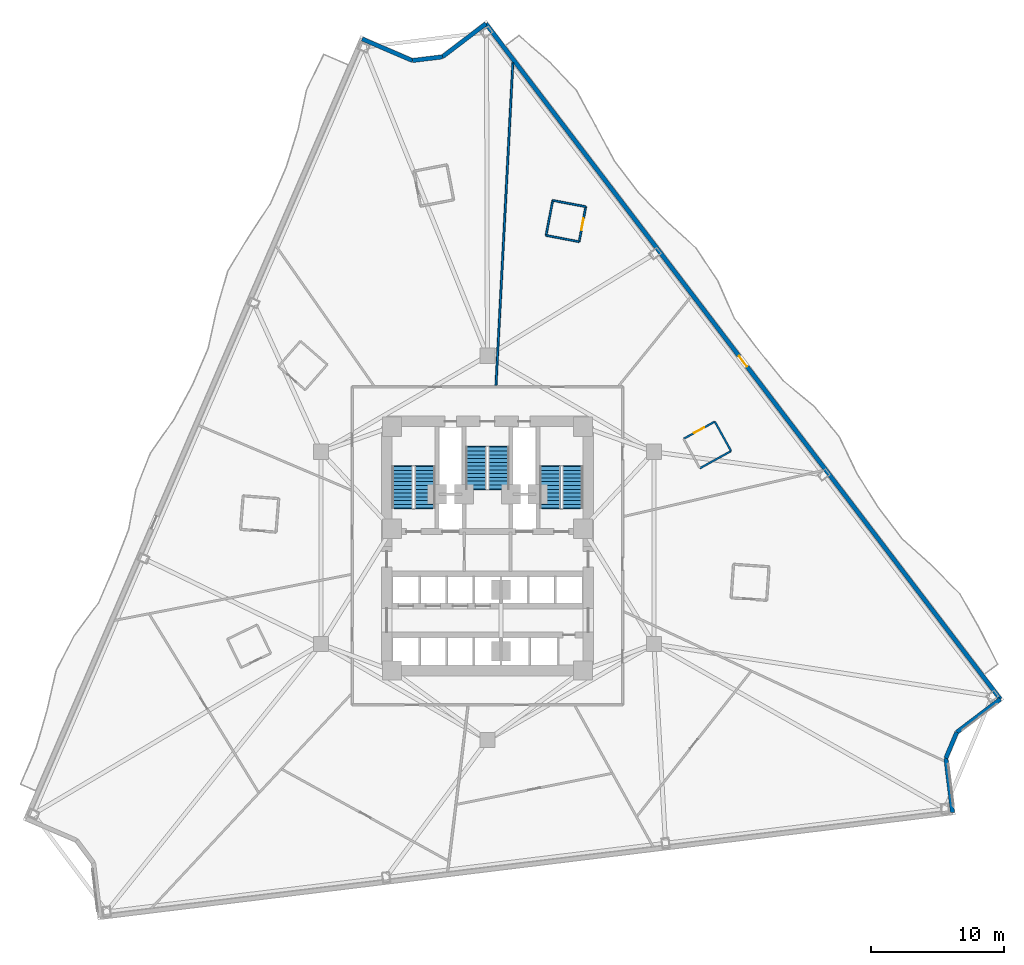
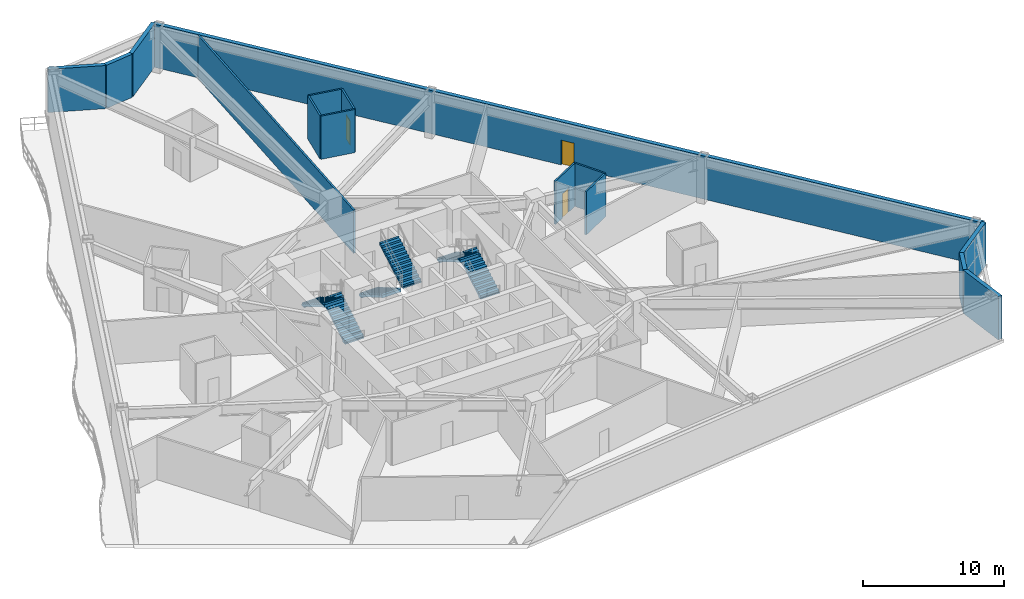
# One storey, part 10 of 14: 15 walls, 6 stair flights, 3 doors, 3 openings, 3 elements without a shape of their own.
"""IFC4 building model written with IfcOpenShell, lengths in metres."""

from ifc_helpers import new_model, si_unit, direction, frame, frame_2d, origin, place, context, subcontext, project, spatial, polyline, rectangle, outline, extrude, material, layer, layer_set, type_object, element, fill, aggregate, save


model = new_model("IFC4")

# Units and contexts
model_context = context("Model", 3, precision=1e-05, world=origin(), true_north=direction((0.0, 1.0)))
body_context = subcontext(model_context, "Body", "Model", "MODEL_VIEW")
ifc_project = project(units=[si_unit("LENGTHUNIT", "METRE"), si_unit("AREAUNIT", "SQUARE_METRE"), si_unit("VOLUMEUNIT", "CUBIC_METRE"), si_unit("PLANEANGLEUNIT", "RADIAN"), si_unit("MASSUNIT", "GRAM", prefix="KILO")], contexts=[model_context])

# Site, building, storey
site_placement = place(None, origin())
site = spatial("IfcSite", under=ifc_project, at=site_placement, CompositionType="ELEMENT")
building_placement = place(site_placement, origin())
building = spatial("IfcBuilding", under=site, at=building_placement, Name="Apsidion Concourse Tower", CompositionType="ELEMENT")
storey_placement = place(building_placement, frame((0.0, 0.0, 79.0)))
storey = spatial("IfcBuildingStorey", under=building, at=storey_placement, Name="L17", CompositionType="ELEMENT", Elevation=79.0)

# Wall, opening, door
ifc_material_1 = material(Name="Precast concrete C40/50", Category="concrete")
ifc_layer_1 = layer(ifc_material_1, 0.320068359375)
ifc_layer_set_1 = layer_set([ifc_layer_1], Name="Precast concrete C40/50")
wall_type_1 = type_object("IfcWallType", Name="WL-EXT-320", PredefinedType="STANDARD", material=ifc_layer_set_1)
wall_1_placement = place(storey_placement, frame((-0.115234375, 39.555419921875, 0.0), z_axis=(0.0, 0.0, 1.0), x_axis=(0.605877389385, -0.795558036243, 0.0)))
wall_1 = element("IfcWall", 1, at=wall_1_placement, inside=storey, type_object=wall_type_1, Name="L17 Precast Stone Facade Wall 01", PredefinedType="STANDARD", context=body_context, shape_type="SweptSolid", body=[
    extrude(rectangle(XDim=64.058349609375, YDim=0.320068359375, at=frame_2d((32.029296875, 0.0))), origin(), (0.0, 0.0, 1.0), 3.75),
])
opening_1_placement = place(wall_1_placement, frame((31.529296875, 0.0, 0.0)))
opening_1 = element("IfcOpeningElement", 2, at=opening_1_placement, cuts=wall_1, Name="Opening D-T1R", PredefinedType="OPENING", context=body_context, shape_type="SweptSolid", body=[
    extrude(rectangle(XDim=1.0, YDim=2.14990234375, at=frame_2d((0.5, 1.074951171875))), frame((0.0, 0.169921875, 0.0), z_axis=(0.0, -1.0, 0.0), x_axis=(1.0, 0.0, 0.0)), (0.0, 0.0, 1.0), 0.340087890625),
])
ifc_material_2 = material(Name="Anodised aluminium EN AW-6063 T6", Category="aluminium")
door_type_1 = type_object("IfcDoorType", Name="DR-TER-1022R", OperationType="SINGLE_SWING_RIGHT", PredefinedType="DOOR", material=ifc_material_2)
door_1_placement = place(opening_1_placement, origin())
door_1 = element("IfcDoor", 3, at=door_1_placement, inside=storey, type_object=door_type_1, Name="L17 Balcony Access Door 1", OperationType="SINGLE_SWING_RIGHT", OverallHeight=2.14990234375, OverallWidth=1.0, PredefinedType="DOOR", context=body_context, shape_type="SweptSolid", body=[
    extrude(rectangle(XDim=1.0, YDim=2.14990234375, at=frame_2d((0.5, 1.074951171875))), frame((0.0, 0.02490234375, 0.0), z_axis=(0.0, -1.0, 0.0), x_axis=(1.0, 0.0, 0.0)), (0.0, 0.0, 1.0), 0.050048828125),
])
fill(opening_1, door_1)

# Walls
wall_2_placement = place(storey_placement, frame((38.6962890625, -11.40673828125, 0.0), z_axis=(0.0, 0.0, 1.0), x_axis=(-0.795549815011, -0.605888184269, 0.0)))
element("IfcWall", 4, at=wall_2_placement, inside=storey, type_object=wall_type_1, Name="L17 Precast Stone Facade Wall 02", PredefinedType="STANDARD", context=body_context, shape_type="SweptSolid", body=[
    extrude(rectangle(XDim=4.128173828125, YDim=0.320068359375, at=frame_2d((2.06396484375, 0.0))), origin(), (0.0, 0.0, 1.0), 3.75),
])
wall_3_placement = place(storey_placement, frame((35.412109375, -13.907958984375, 0.0), z_axis=(0.0, 0.0, 1.0), x_axis=(-0.388344964834, -0.921514073841, 0.0)))
element("IfcWall", 5, at=wall_3_placement, inside=storey, type_object=wall_type_1, Name="L17 Precast Stone Facade Wall 03", PredefinedType="STANDARD", context=body_context, shape_type="SweptSolid", body=[
    extrude(rectangle(XDim=2.122314453125, YDim=0.320068359375, at=frame_2d((1.06103515625, 0.0))), origin(), (0.0, 0.0, 1.0), 3.75),
])
wall_4_placement = place(storey_placement, frame((34.587890625, -15.86376953125, 0.0), z_axis=(0.0, 0.0, 1.0), x_axis=(0.12182895116, -0.992551110351, 0.0)))
element("IfcWall", 6, at=wall_4_placement, inside=storey, type_object=wall_type_1, Name="L17 Precast Stone Facade Wall 04", PredefinedType="STANDARD", context=body_context, shape_type="SweptSolid", body=[
    extrude(rectangle(XDim=4.128173828125, YDim=0.320068359375, at=frame_2d((2.06396484375, 0.0))), origin(), (0.0, 0.0, 1.0), 3.75),
])
wall_5_placement = place(storey_placement, frame((-9.45751953125, 38.408203125, 0.0), z_axis=(0.0, 0.0, 1.0), x_axis=(0.918510754284, -0.395395996774, 0.0)))
element("IfcWall", 7, at=wall_5_placement, inside=storey, type_object=wall_type_1, Name="L17 Precast Stone Facade Wall 10", PredefinedType="STANDARD", context=body_context, shape_type="SweptSolid", body=[
    extrude(rectangle(XDim=4.12890625, YDim=0.320068359375, at=frame_2d((2.064453125, 0.0))), origin(), (0.0, 0.0, 1.0), 3.75),
])
wall_6_placement = place(storey_placement, frame((-5.6650390625, 36.775634765625, 0.0), z_axis=(0.0, 0.0, 1.0), x_axis=(0.992547088217, 0.121861715369, 0.0)))
element("IfcWall", 8, at=wall_6_placement, inside=storey, type_object=wall_type_1, Name="L17 Precast Stone Facade Wall 11", PredefinedType="STANDARD", context=body_context, shape_type="SweptSolid", body=[
    extrude(rectangle(XDim=2.281982421875, YDim=0.320068359375, at=frame_2d((1.14111328125, 0.0))), origin(), (0.0, 0.0, 1.0), 3.75),
])
wall_7_placement = place(storey_placement, frame((-3.400146484375, 37.0537109375, 0.0), z_axis=(0.0, 0.0, 1.0), x_axis=(0.795557931523, 0.605877526891, 0.0)))
element("IfcWall", 9, at=wall_7_placement, inside=storey, type_object=wall_type_1, Name="L17 Precast Stone Facade Wall 12", PredefinedType="STANDARD", context=body_context, shape_type="SweptSolid", body=[
    extrude(rectangle(XDim=4.129150390625, YDim=0.320068359375, at=frame_2d((2.064453125, 0.0))), origin(), (0.0, 0.0, 1.0), 3.75),
])
ifc_material_3 = material(Name="Gypsum plasterboard partition")
ifc_layer_2 = layer(ifc_material_3, 0.139892578125)
ifc_layer_set_2 = layer_set([ifc_layer_2], Name="Gypsum plasterboard partition")
wall_type_2 = type_object("IfcWallType", Name="WL-INT-PAR-140", PredefinedType="PARTITIONING", material=ifc_layer_set_2)
wall_8_placement = place(storey_placement, frame((16.02783203125, 6.01025390625, 0.0), z_axis=(0.0, 0.0, 1.0), x_axis=(0.875459845227, 0.483290864175, 0.0)))
element("IfcWall", 10, at=wall_8_placement, inside=storey, type_object=wall_type_2, Name="L17 Interior Partition WL-L17-POD-ENS05-S1", PredefinedType="PARTITIONING", context=body_context, shape_type="SweptSolid", body=[
    extrude(rectangle(XDim=2.68994140625, YDim=0.139892578125, at=frame_2d((1.344970703125, 0.0))), origin(), (0.0, 0.0, 1.0), 3.75),
])
wall_9_placement = place(storey_placement, frame((18.3828125, 7.310302734375, 0.0), z_axis=(0.0, 0.0, 1.0), x_axis=(-0.48321709823, 0.875500563094, 0.0)))
element("IfcWall", 11, at=wall_9_placement, inside=storey, type_object=wall_type_2, Name="L17 Interior Partition WL-L17-POD-ENS05-S2", PredefinedType="PARTITIONING", context=body_context, shape_type="SweptSolid", body=[
    extrude(rectangle(XDim=2.539794921875, YDim=0.139892578125, at=frame_2d((1.27001953125, 0.0))), origin(), (0.0, 0.0, 1.0), 3.75),
])

# Wall, opening, door
wall_10_placement = place(storey_placement, frame((17.155517578125, 9.533935546875, 0.0), z_axis=(0.0, 0.0, 1.0), x_axis=(-0.87548104125, -0.483252466534, 0.0)))
wall_10 = element("IfcWall", 12, at=wall_10_placement, inside=storey, type_object=wall_type_2, Name="L17 Interior Partition WL-L17-POD-ENS05-S3", PredefinedType="PARTITIONING", context=body_context, shape_type="SweptSolid", body=[
    extrude(rectangle(XDim=2.690185546875, YDim=0.139892578125, at=frame_2d((1.34521484375, 0.0))), origin(), (0.0, 0.0, 1.0), 3.75),
])
opening_2_placement = place(wall_10_placement, frame((0.905029296875, 0.0, 0.0)))
opening_2 = element("IfcOpeningElement", 13, at=opening_2_placement, cuts=wall_10, Name="Opening D-03R", PredefinedType="OPENING", context=body_context, shape_type="SweptSolid", body=[
    extrude(rectangle(XDim=0.8798828125, YDim=2.10009765625, at=frame_2d((0.43994140625, 1.050048828125))), frame((0.0, 0.080078125, 0.0), z_axis=(0.0, -1.0, 0.0), x_axis=(1.0, 0.0, 0.0)), (0.0, 0.0, 1.0), 0.159912109375),
])
door_type_2 = type_object("IfcDoorType", Name="DR-INT-D03R", OperationType="SINGLE_SWING_RIGHT", PredefinedType="DOOR", material=ifc_material_2)
door_2_placement = place(opening_2_placement, origin())
door_2 = element("IfcDoor", 14, at=door_2_placement, inside=storey, type_object=door_type_2, Name="L17 Guest En-Suite Bathroom Door ENS05", OperationType="SINGLE_SWING_RIGHT", OverallHeight=2.10009765625, OverallWidth=0.8798828125, PredefinedType="DOOR", context=body_context, shape_type="SweptSolid", body=[
    extrude(rectangle(XDim=0.8798828125, YDim=2.10009765625, at=frame_2d((0.43994140625, 1.050048828125))), frame((0.0, 0.02490234375, 0.0), z_axis=(0.0, -1.0, 0.0), x_axis=(1.0, 0.0, 0.0)), (0.0, 0.0, 1.0), 0.050048828125),
])
fill(opening_2, door_2)

wall_11_placement = place(storey_placement, frame((6.91796875, 23.105224609375, 0.0), z_axis=(0.0, 0.0, 1.0), x_axis=(0.187416547399, 0.982280529055, 0.0)))
wall_11 = element("IfcWall", 15, at=wall_11_placement, inside=storey, type_object=wall_type_2, Name="L17 Interior Partition WL-L17-POD-ENS06-S1", PredefinedType="PARTITIONING", context=body_context, shape_type="SweptSolid", body=[
    extrude(rectangle(XDim=2.68994140625, YDim=0.139892578125, at=frame_2d((1.344970703125, 0.0))), origin(), (0.0, 0.0, 1.0), 3.75),
])
opening_3_placement = place(wall_11_placement, frame((0.905029296875, 0.0, 0.0)))
opening_3 = element("IfcOpeningElement", 16, at=opening_3_placement, cuts=wall_11, Name="Opening D-03L", PredefinedType="OPENING", context=body_context, shape_type="SweptSolid", body=[
    extrude(rectangle(XDim=0.8798828125, YDim=2.10009765625, at=frame_2d((0.43994140625, 1.050048828125))), frame((0.0, 0.080078125, 0.0), z_axis=(0.0, -1.0, 0.0), x_axis=(1.0, 0.0, 0.0)), (0.0, 0.0, 1.0), 0.159912109375),
])
door_type_3 = type_object("IfcDoorType", Name="DR-INT-D03L", OperationType="SINGLE_SWING_LEFT", PredefinedType="DOOR", material=ifc_material_2)
door_3_placement = place(opening_3_placement, origin())
door_3 = element("IfcDoor", 17, at=door_3_placement, inside=storey, type_object=door_type_3, Name="L17 Guest En-Suite Bathroom Door ENS06", OperationType="SINGLE_SWING_LEFT", OverallHeight=2.10009765625, OverallWidth=0.8798828125, PredefinedType="DOOR", context=body_context, shape_type="SweptSolid", body=[
    extrude(rectangle(XDim=0.8798828125, YDim=2.10009765625, at=frame_2d((0.43994140625, 1.050048828125))), frame((0.0, 0.02490234375, 0.0), z_axis=(0.0, -1.0, 0.0), x_axis=(1.0, 0.0, 0.0)), (0.0, 0.0, 1.0), 0.050048828125),
])
fill(opening_3, door_3)

# Walls
wall_12_placement = place(storey_placement, frame((7.422119140625, 25.74755859375, 0.0), z_axis=(0.0, 0.0, 1.0), x_axis=(-0.98229732031, 0.187328520282, 0.0)))
element("IfcWall", 18, at=wall_12_placement, inside=storey, type_object=wall_type_2, Name="L17 Interior Partition WL-L17-POD-ENS06-S2", PredefinedType="PARTITIONING", context=body_context, shape_type="SweptSolid", body=[
    extrude(rectangle(XDim=2.5400390625, YDim=0.139892578125, at=frame_2d((1.27001953125, 0.0))), origin(), (0.0, 0.0, 1.0), 3.75),
])
wall_13_placement = place(storey_placement, frame((4.927001953125, 26.223388671875, 0.0), z_axis=(0.0, 0.0, 1.0), x_axis=(-0.187416547399, -0.982280529055, 0.0)))
element("IfcWall", 19, at=wall_13_placement, inside=storey, type_object=wall_type_2, Name="L17 Interior Partition WL-L17-POD-ENS06-S3", PredefinedType="PARTITIONING", context=body_context, shape_type="SweptSolid", body=[
    extrude(rectangle(XDim=2.68994140625, YDim=0.139892578125, at=frame_2d((1.344970703125, 0.0))), origin(), (0.0, 0.0, 1.0), 3.75),
])
wall_14_placement = place(storey_placement, frame((4.4228515625, 23.5810546875, 0.0), z_axis=(0.0, 0.0, 1.0), x_axis=(0.98229732031, -0.187328520282, 0.0)))
element("IfcWall", 20, at=wall_14_placement, inside=storey, type_object=wall_type_2, Name="L17 Interior Partition WL-L17-POD-ENS06-S4", PredefinedType="PARTITIONING", context=body_context, shape_type="SweptSolid", body=[
    extrude(rectangle(XDim=2.5400390625, YDim=0.139892578125, at=frame_2d((1.27001953125, 0.0))), origin(), (0.0, 0.0, 1.0), 3.75),
])
ifc_layer_3 = layer(ifc_material_3, 0.14990234375)
ifc_layer_set_3 = layer_set([ifc_layer_3], Name="Gypsum plasterboard partition")
wall_type_3 = type_object("IfcWallType", Name="WL-INT-PAR-150", PredefinedType="PARTITIONING", material=ifc_layer_set_3)
wall_15_placement = place(storey_placement, frame((0.642333984375, 12.2548828125, 0.0), z_axis=(0.0, 0.0, 1.0), x_axis=(0.05233278359, 0.998629701021, 0.0)))
element("IfcWall", 21, at=wall_15_placement, inside=storey, type_object=wall_type_3, Name="L17 Interior Partition WL-L17-RAD-03-1", PredefinedType="PARTITIONING", context=body_context, shape_type="SweptSolid", body=[
    extrude(rectangle(XDim=24.37548828125, YDim=0.14990234375, at=frame_2d((12.187744140625, 0.0))), origin(), (0.0, 0.0, 1.0), 3.75),
])

# Stair, stair flights
stair_type = type_object("IfcStairType", Name="ST-DL-1550", PredefinedType="HALF_TURN_STAIR", material=ifc_material_1)
stair_1_placement = place(storey_placement, origin())
stair_1 = element("IfcStair", 22, at=stair_1_placement, inside=storey, type_object=stair_type, Name="L17 Protected Core Exit Stair ST1", PredefinedType="HALF_TURN_STAIR")
stair_flight_type = type_object("IfcStairFlightType", Name="SFL-RC-1550", PredefinedType="STRAIGHT", material=ifc_material_1)
stair_flight_1_placement = place(storey_placement, frame((-4.72509765625, 3.0, 0.0), z_axis=(0.0, 0.0, 1.0), x_axis=(0.0, 1.0, 0.0)))
stair_flight_1 = element("IfcStairFlight", 23, at=stair_flight_1_placement, type_object=stair_flight_type, Name="ST1 flight 1", NumberOfRisers=12, NumberOfTreads=11, PredefinedType="STRAIGHT", RiserHeight=0.166666667, TreadLength=0.285, context=body_context, shape_type="SweptSolid", body=[
    extrude(outline(polyline([(-0.080078125, -0.1123046875), (-0.080078125, 0.0), (0.0, 0.0), (0.0, 0.166748046875), (0.284912109375, 0.166748046875), (0.284912109375, 0.333251953125), (0.570068359375, 0.333251953125), (0.570068359375, 0.5), (0.85498046875, 0.5), (0.85498046875, 0.666748046875), (1.139892578125, 0.666748046875), (1.139892578125, 0.833251953125), (1.425048828125, 0.833251953125), (1.425048828125, 1.0), (1.7099609375, 1.0), (1.7099609375, 1.166748046875), (1.9951171875, 1.166748046875), (1.9951171875, 1.333251953125), (2.280029296875, 1.333251953125), (2.280029296875, 1.5), (2.56494140625, 1.5), (2.56494140625, 1.666748046875), (2.85009765625, 1.666748046875), (2.85009765625, 1.833251953125), (3.135009765625, 1.833251953125), (3.135009765625, 2.0), (3.215087890625, 1.916748046875), (3.215087890625, 1.65966796875), (3.135009765625, 1.65966796875), (0.296875, 0.0), (0.296875, -0.1123046875), (-0.080078125, -0.1123046875)])), frame((0.0, 0.77490234375, 0.0), z_axis=(0.0, -1.0, 0.0), x_axis=(1.0, 0.0, 0.0)), (0.0, 0.0, 1.0), 1.550048828125),
])
stair_flight_2_placement = place(storey_placement, frame((-6.425048828125, 6.135009765625, 2.0), z_axis=(0.0, 0.0, 1.0), x_axis=(0.0, -1.0, 0.0)))
stair_flight_2 = element("IfcStairFlight", 24, at=stair_flight_2_placement, type_object=stair_flight_type, Name="ST1 flight 2", NumberOfRisers=12, NumberOfTreads=11, PredefinedType="STRAIGHT", RiserHeight=0.166666667, TreadLength=0.285, context=body_context, shape_type="SweptSolid", body=[
    extrude(outline(polyline([(-0.080078125, -0.1123046875), (-0.080078125, 0.0), (0.0, 0.0), (0.0, 0.166748046875), (0.284912109375, 0.166748046875), (0.284912109375, 0.333251953125), (0.570068359375, 0.333251953125), (0.570068359375, 0.5), (0.85498046875, 0.5), (0.85498046875, 0.666748046875), (1.139892578125, 0.666748046875), (1.139892578125, 0.833251953125), (1.425048828125, 0.833251953125), (1.425048828125, 1.0), (1.7099609375, 1.0), (1.7099609375, 1.166748046875), (1.9951171875, 1.166748046875), (1.9951171875, 1.333251953125), (2.280029296875, 1.333251953125), (2.280029296875, 1.5), (2.56494140625, 1.5), (2.56494140625, 1.666748046875), (2.85009765625, 1.666748046875), (2.85009765625, 1.833251953125), (3.135009765625, 1.833251953125), (3.135009765625, 2.0), (3.215087890625, 1.916748046875), (3.215087890625, 1.65966796875), (3.135009765625, 1.65966796875), (0.296875, 0.0), (0.296875, -0.1123046875), (-0.080078125, -0.1123046875)])), frame((0.0, 0.77490234375, 0.0), z_axis=(0.0, -1.0, 0.0), x_axis=(1.0, 0.0, 0.0)), (0.0, 0.0, 1.0), 1.550048828125),
])
aggregate(stair_1, [stair_flight_1, stair_flight_2])

stair_2_placement = place(storey_placement, origin())
stair_2 = element("IfcStair", 25, at=stair_2_placement, inside=storey, type_object=stair_type, Name="L17 Protected Core Exit Stair ST2", PredefinedType="HALF_TURN_STAIR")
stair_flight_3_placement = place(storey_placement, frame((6.425048828125, 3.0, 0.0), z_axis=(0.0, 0.0, 1.0), x_axis=(0.0, 1.0, 0.0)))
stair_flight_3 = element("IfcStairFlight", 26, at=stair_flight_3_placement, type_object=stair_flight_type, Name="ST2 flight 1", NumberOfRisers=12, NumberOfTreads=11, PredefinedType="STRAIGHT", RiserHeight=0.166666667, TreadLength=0.285, context=body_context, shape_type="SweptSolid", body=[
    extrude(outline(polyline([(-0.080078125, -0.1123046875), (-0.080078125, 0.0), (0.0, 0.0), (0.0, 0.166748046875), (0.284912109375, 0.166748046875), (0.284912109375, 0.333251953125), (0.570068359375, 0.333251953125), (0.570068359375, 0.5), (0.85498046875, 0.5), (0.85498046875, 0.666748046875), (1.139892578125, 0.666748046875), (1.139892578125, 0.833251953125), (1.425048828125, 0.833251953125), (1.425048828125, 1.0), (1.7099609375, 1.0), (1.7099609375, 1.166748046875), (1.9951171875, 1.166748046875), (1.9951171875, 1.333251953125), (2.280029296875, 1.333251953125), (2.280029296875, 1.5), (2.56494140625, 1.5), (2.56494140625, 1.666748046875), (2.85009765625, 1.666748046875), (2.85009765625, 1.833251953125), (3.135009765625, 1.833251953125), (3.135009765625, 2.0), (3.215087890625, 1.916748046875), (3.215087890625, 1.65966796875), (3.135009765625, 1.65966796875), (0.296875, 0.0), (0.296875, -0.1123046875), (-0.080078125, -0.1123046875)])), frame((0.0, 0.77490234375, 0.0), z_axis=(0.0, -1.0, 0.0), x_axis=(1.0, 0.0, 0.0)), (0.0, 0.0, 1.0), 1.550048828125),
])
stair_flight_4_placement = place(storey_placement, frame((4.72509765625, 6.135009765625, 2.0), z_axis=(0.0, 0.0, 1.0), x_axis=(0.0, -1.0, 0.0)))
stair_flight_4 = element("IfcStairFlight", 27, at=stair_flight_4_placement, type_object=stair_flight_type, Name="ST2 flight 2", NumberOfRisers=12, NumberOfTreads=11, PredefinedType="STRAIGHT", RiserHeight=0.166666667, TreadLength=0.285, context=body_context, shape_type="SweptSolid", body=[
    extrude(outline(polyline([(-0.080078125, -0.1123046875), (-0.080078125, 0.0), (0.0, 0.0), (0.0, 0.166748046875), (0.284912109375, 0.166748046875), (0.284912109375, 0.333251953125), (0.570068359375, 0.333251953125), (0.570068359375, 0.5), (0.85498046875, 0.5), (0.85498046875, 0.666748046875), (1.139892578125, 0.666748046875), (1.139892578125, 0.833251953125), (1.425048828125, 0.833251953125), (1.425048828125, 1.0), (1.7099609375, 1.0), (1.7099609375, 1.166748046875), (1.9951171875, 1.166748046875), (1.9951171875, 1.333251953125), (2.280029296875, 1.333251953125), (2.280029296875, 1.5), (2.56494140625, 1.5), (2.56494140625, 1.666748046875), (2.85009765625, 1.666748046875), (2.85009765625, 1.833251953125), (3.135009765625, 1.833251953125), (3.135009765625, 2.0), (3.215087890625, 1.916748046875), (3.215087890625, 1.65966796875), (3.135009765625, 1.65966796875), (0.296875, 0.0), (0.296875, -0.1123046875), (-0.080078125, -0.1123046875)])), frame((0.0, 0.77490234375, 0.0), z_axis=(0.0, -1.0, 0.0), x_axis=(1.0, 0.0, 0.0)), (0.0, 0.0, 1.0), 1.550048828125),
])
aggregate(stair_2, [stair_flight_3, stair_flight_4])

stair_3_placement = place(storey_placement, origin())
stair_3 = element("IfcStair", 28, at=stair_3_placement, inside=storey, type_object=stair_type, Name="L17 Protected Core Exit Stair ST3", PredefinedType="HALF_TURN_STAIR")
stair_flight_5_placement = place(storey_placement, frame((-0.85009765625, 7.60009765625, 0.0), z_axis=(0.0, 0.0, 1.0), x_axis=(0.0, -1.0, 0.0)))
stair_flight_5 = element("IfcStairFlight", 29, at=stair_flight_5_placement, type_object=stair_flight_type, Name="ST3 flight 1", NumberOfRisers=12, NumberOfTreads=11, PredefinedType="STRAIGHT", RiserHeight=0.166666667, TreadLength=0.285, context=body_context, shape_type="SweptSolid", body=[
    extrude(outline(polyline([(-0.080078125, -0.1123046875), (-0.080078125, 0.0), (0.0, 0.0), (0.0, 0.166748046875), (0.284912109375, 0.166748046875), (0.284912109375, 0.333251953125), (0.570068359375, 0.333251953125), (0.570068359375, 0.5), (0.85498046875, 0.5), (0.85498046875, 0.666748046875), (1.139892578125, 0.666748046875), (1.139892578125, 0.833251953125), (1.425048828125, 0.833251953125), (1.425048828125, 1.0), (1.7099609375, 1.0), (1.7099609375, 1.166748046875), (1.9951171875, 1.166748046875), (1.9951171875, 1.333251953125), (2.280029296875, 1.333251953125), (2.280029296875, 1.5), (2.56494140625, 1.5), (2.56494140625, 1.666748046875), (2.85009765625, 1.666748046875), (2.85009765625, 1.833251953125), (3.135009765625, 1.833251953125), (3.135009765625, 2.0), (3.215087890625, 1.916748046875), (3.215087890625, 1.65966796875), (3.135009765625, 1.65966796875), (0.296875, 0.0), (0.296875, -0.1123046875), (-0.080078125, -0.1123046875)])), frame((0.0, 0.77490234375, 0.0), z_axis=(0.0, -1.0, 0.0), x_axis=(1.0, 0.0, 0.0)), (0.0, 0.0, 1.0), 1.550048828125),
])
stair_flight_6_placement = place(storey_placement, frame((0.85009765625, 4.465087890625, 2.0), z_axis=(0.0, 0.0, 1.0), x_axis=(0.0, 1.0, 0.0)))
stair_flight_6 = element("IfcStairFlight", 30, at=stair_flight_6_placement, type_object=stair_flight_type, Name="ST3 flight 2", NumberOfRisers=12, NumberOfTreads=11, PredefinedType="STRAIGHT", RiserHeight=0.166666667, TreadLength=0.285, context=body_context, shape_type="SweptSolid", body=[
    extrude(outline(polyline([(-0.080078125, -0.1123046875), (-0.080078125, 0.0), (0.0, 0.0), (0.0, 0.166748046875), (0.284912109375, 0.166748046875), (0.284912109375, 0.333251953125), (0.570068359375, 0.333251953125), (0.570068359375, 0.5), (0.85498046875, 0.5), (0.85498046875, 0.666748046875), (1.139892578125, 0.666748046875), (1.139892578125, 0.833251953125), (1.425048828125, 0.833251953125), (1.425048828125, 1.0), (1.7099609375, 1.0), (1.7099609375, 1.166748046875), (1.9951171875, 1.166748046875), (1.9951171875, 1.333251953125), (2.280029296875, 1.333251953125), (2.280029296875, 1.5), (2.56494140625, 1.5), (2.56494140625, 1.666748046875), (2.85009765625, 1.666748046875), (2.85009765625, 1.833251953125), (3.135009765625, 1.833251953125), (3.135009765625, 2.0), (3.215087890625, 1.916748046875), (3.215087890625, 1.65966796875), (3.135009765625, 1.65966796875), (0.296875, 0.0), (0.296875, -0.1123046875), (-0.080078125, -0.1123046875)])), frame((0.0, 0.77490234375, 0.0), z_axis=(0.0, -1.0, 0.0), x_axis=(1.0, 0.0, 0.0)), (0.0, 0.0, 1.0), 1.550048828125),
])
aggregate(stair_3, [stair_flight_5, stair_flight_6])

save(model, "model.ifc")
